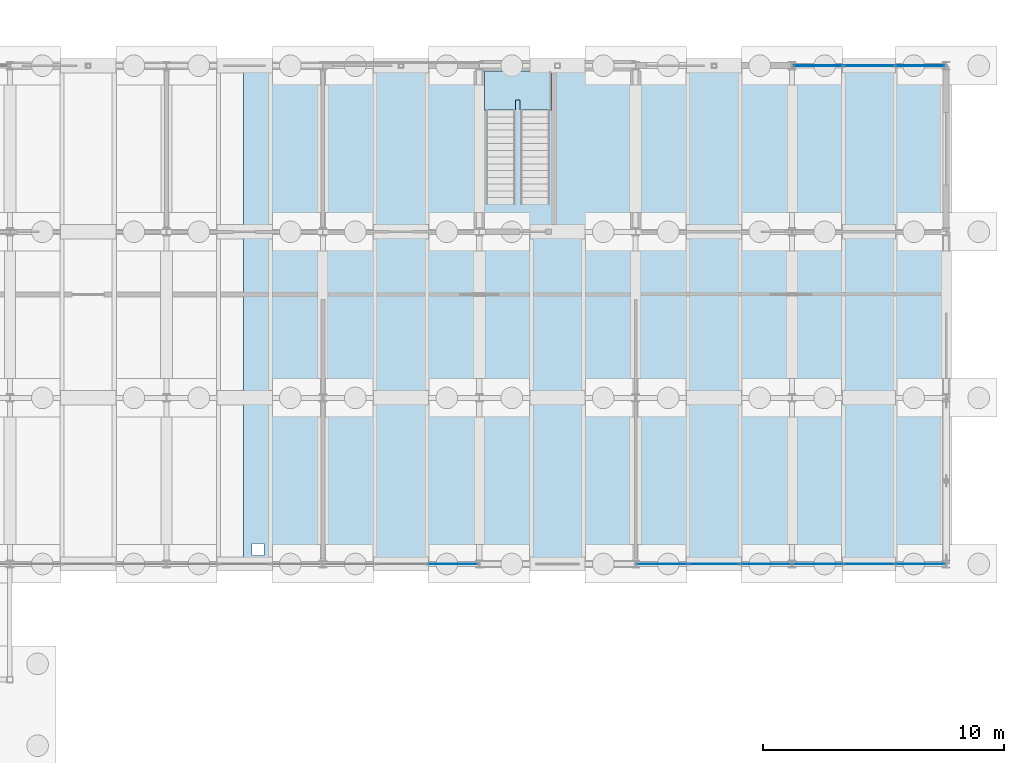
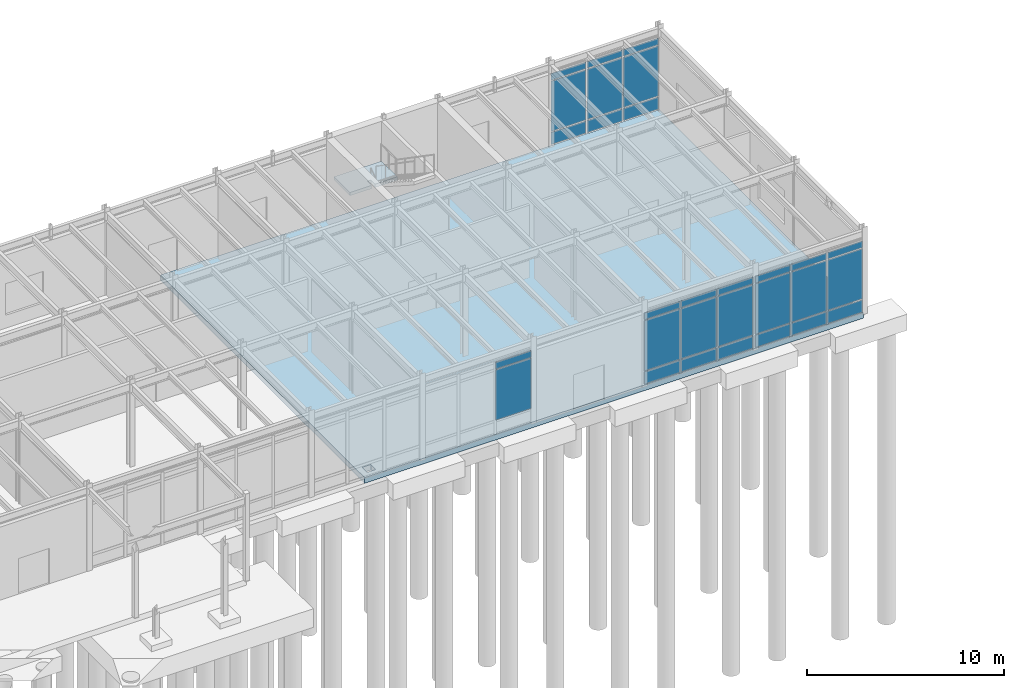
# One storey, part 54 of 82: 29 plates, 2 slabs, 5 elements without a shape of their own.
"""IFC4 building model written with IfcOpenShell, lengths in metres."""

from ifc_helpers import new_model, si_unit, direction, frame, origin, origin_2d, place, context, subcontext, project, spatial, polyline, rectangle, outline, extrude, material, layer, layer_set, type_object, element, aggregate, save


model = new_model("IFC4")

# Units and contexts
model_context = context("Model", 3, precision=1e-05, world=origin(), true_north=direction((0.0, 1.0)))
body_context = subcontext(model_context, "Body", "Model", "MODEL_VIEW")
ifc_project = project(units=[si_unit("LENGTHUNIT", "METRE"), si_unit("AREAUNIT", "SQUARE_METRE"), si_unit("VOLUMEUNIT", "CUBIC_METRE"), si_unit("PLANEANGLEUNIT", "RADIAN"), si_unit("MASSUNIT", "GRAM", prefix="KILO")], contexts=[model_context])

# Site, building, storey
site_placement = place(None, origin())
site = spatial("IfcSite", under=ifc_project, at=site_placement, CompositionType="ELEMENT")
building_placement = place(site_placement, origin())
building = spatial("IfcBuilding", under=site, at=building_placement, Name="Trelmorton Wharf Fire Station", CompositionType="ELEMENT")
storey_placement = place(building_placement, origin())
storey = spatial("IfcBuildingStorey", under=building, at=storey_placement, Name="L00", CompositionType="ELEMENT", Elevation=0.0)

# Curtain wall, plates
ifc_material_1 = material(Name="Anodised aluminium AW-6063", Category="aluminium")
ifc_layer_1 = layer(ifc_material_1, 0.159912109375)
ifc_layer_set_1 = layer_set([ifc_layer_1], Name="Anodised aluminium AW-6063")
curtain_wall_type_1 = type_object("IfcCurtainWallType", Name="CW_CHIC_A", PredefinedType="USERDEFINED", material=ifc_layer_set_1)
curtain_wall_1_placement = place(storey_placement, origin())
curtain_wall_1 = element("IfcCurtainWall", 1, at=curtain_wall_1_placement, inside=storey, type_object=curtain_wall_type_1, Name="CW-V4-L00-118", ObjectType="CHICAGO BAY CURTAIN WALL", PredefinedType="USERDEFINED")
ifc_material_2 = material(Name="Tempered low-E double glazing", Category="glass")
ifc_layer_2 = layer(ifc_material_2, 0.028076171875)
ifc_layer_set_2 = layer_set([ifc_layer_2], Name="Tempered low-E double glazing")
plate_type_1 = type_object("IfcPlateType", Name="CWP_GLAZ_28", PredefinedType="CURTAIN_PANEL", material=ifc_layer_set_2)
plate_1_placement = place(storey_placement, frame((154.8984375, 60.300048828125, 0.06005859375), z_axis=(0.0, 0.0, 1.0), x_axis=(-1.0, 0.0, 0.0)))
plate_1 = element("IfcPlate", 2, at=plate_1_placement, type_object=plate_type_1, Name="CW1 panel 1.1", PredefinedType="CURTAIN_PANEL", context=body_context, shape_type="SweptSolid", body=[
    extrude(rectangle(XDim=2.0732421875, YDim=0.028076171875, at=origin_2d()), origin(), (0.0, 0.0, 1.0), 0.760009765625),
])
plate_2_placement = place(storey_placement, frame((154.8984375, 60.300048828125, 0.8798828125), z_axis=(0.0, 0.0, 1.0), x_axis=(-1.0, 0.0, 0.0)))
plate_2 = element("IfcPlate", 3, at=plate_2_placement, type_object=plate_type_1, Name="CW1 panel 1.2", PredefinedType="CURTAIN_PANEL", context=body_context, shape_type="SweptSolid", body=[
    extrude(rectangle(XDim=2.0732421875, YDim=0.028076171875, at=origin_2d()), origin(), (0.0, 0.0, 1.0), 3.110107421875),
])
plate_3_placement = place(storey_placement, frame((154.8984375, 60.300048828125, 4.0498046875), z_axis=(0.0, 0.0, 1.0), x_axis=(-1.0, 0.0, 0.0)))
plate_3 = element("IfcPlate", 4, at=plate_3_placement, type_object=plate_type_1, Name="CW1 panel 1.3", PredefinedType="CURTAIN_PANEL", context=body_context, shape_type="SweptSolid", body=[
    extrude(rectangle(XDim=2.0732421875, YDim=0.028076171875, at=origin_2d()), origin(), (0.0, 0.0, 1.0), 0.409912109375),
])
plate_4_placement = place(storey_placement, frame((152.75, 60.300048828125, 0.06005859375), z_axis=(0.0, 0.0, 1.0), x_axis=(-1.0, 0.0, 0.0)))
plate_4 = element("IfcPlate", 5, at=plate_4_placement, type_object=plate_type_1, Name="CW1 panel 2.1", PredefinedType="CURTAIN_PANEL", context=body_context, shape_type="SweptSolid", body=[
    extrude(rectangle(XDim=2.103271484375, YDim=0.028076171875, at=origin_2d()), origin(), (0.0, 0.0, 1.0), 0.760009765625),
])
plate_5_placement = place(storey_placement, frame((152.75, 60.300048828125, 0.8798828125), z_axis=(0.0, 0.0, 1.0), x_axis=(-1.0, 0.0, 0.0)))
plate_5 = element("IfcPlate", 6, at=plate_5_placement, type_object=plate_type_1, Name="CW1 panel 2.2", PredefinedType="CURTAIN_PANEL", context=body_context, shape_type="SweptSolid", body=[
    extrude(rectangle(XDim=2.103271484375, YDim=0.028076171875, at=origin_2d()), origin(), (0.0, 0.0, 1.0), 3.110107421875),
])
plate_6_placement = place(storey_placement, frame((152.75, 60.300048828125, 4.0498046875), z_axis=(0.0, 0.0, 1.0), x_axis=(-1.0, 0.0, 0.0)))
plate_6 = element("IfcPlate", 7, at=plate_6_placement, type_object=plate_type_1, Name="CW1 panel 2.3", PredefinedType="CURTAIN_PANEL", context=body_context, shape_type="SweptSolid", body=[
    extrude(rectangle(XDim=2.103271484375, YDim=0.028076171875, at=origin_2d()), origin(), (0.0, 0.0, 1.0), 0.409912109375),
])
plate_7_placement = place(storey_placement, frame((150.6015625, 60.300048828125, 0.06005859375), z_axis=(0.0, 0.0, 1.0), x_axis=(-1.0, 0.0, 0.0)))
plate_7 = element("IfcPlate", 8, at=plate_7_placement, type_object=plate_type_1, Name="CW1 panel 3.1", PredefinedType="CURTAIN_PANEL", context=body_context, shape_type="SweptSolid", body=[
    extrude(rectangle(XDim=2.0732421875, YDim=0.028076171875, at=origin_2d()), origin(), (0.0, 0.0, 1.0), 0.760009765625),
])
plate_8_placement = place(storey_placement, frame((150.6015625, 60.300048828125, 0.8798828125), z_axis=(0.0, 0.0, 1.0), x_axis=(-1.0, 0.0, 0.0)))
plate_8 = element("IfcPlate", 9, at=plate_8_placement, type_object=plate_type_1, Name="CW1 panel 3.2", PredefinedType="CURTAIN_PANEL", context=body_context, shape_type="SweptSolid", body=[
    extrude(rectangle(XDim=2.0732421875, YDim=0.028076171875, at=origin_2d()), origin(), (0.0, 0.0, 1.0), 3.110107421875),
])
plate_9_placement = place(storey_placement, frame((150.6015625, 60.300048828125, 4.0498046875), z_axis=(0.0, 0.0, 1.0), x_axis=(-1.0, 0.0, 0.0)))
plate_9 = element("IfcPlate", 10, at=plate_9_placement, type_object=plate_type_1, Name="CW1 panel 3.3", PredefinedType="CURTAIN_PANEL", context=body_context, shape_type="SweptSolid", body=[
    extrude(rectangle(XDim=2.0732421875, YDim=0.028076171875, at=origin_2d()), origin(), (0.0, 0.0, 1.0), 0.409912109375),
])
aggregate(curtain_wall_1, [plate_1, plate_2, plate_3, plate_4, plate_5, plate_6, plate_7, plate_8, plate_9])

curtain_wall_2_placement = place(storey_placement, origin())
curtain_wall_2 = element("IfcCurtainWall", 11, at=curtain_wall_2_placement, inside=storey, type_object=curtain_wall_type_1, Name="CW-V4-L00-119", ObjectType="CHICAGO BAY CURTAIN WALL", PredefinedType="USERDEFINED")
plate_10_placement = place(storey_placement, frame((161.31494140625, 60.300048828125, 0.06005859375), z_axis=(0.0, 0.0, 1.0), x_axis=(-1.0, 0.0, 0.0)))
plate_10 = element("IfcPlate", 12, at=plate_10_placement, type_object=plate_type_1, Name="CW1 panel 1.1", PredefinedType="CURTAIN_PANEL", context=body_context, shape_type="SweptSolid", body=[
    extrude(rectangle(XDim=2.0400390625, YDim=0.028076171875, at=origin_2d()), origin(), (0.0, 0.0, 1.0), 0.760009765625),
])
plate_11_placement = place(storey_placement, frame((161.31494140625, 60.300048828125, 0.8798828125), z_axis=(0.0, 0.0, 1.0), x_axis=(-1.0, 0.0, 0.0)))
plate_11 = element("IfcPlate", 13, at=plate_11_placement, type_object=plate_type_1, Name="CW1 panel 1.2", PredefinedType="CURTAIN_PANEL", context=body_context, shape_type="SweptSolid", body=[
    extrude(rectangle(XDim=2.0400390625, YDim=0.028076171875, at=origin_2d()), origin(), (0.0, 0.0, 1.0), 3.110107421875),
])
plate_12_placement = place(storey_placement, frame((161.31494140625, 60.300048828125, 4.0498046875), z_axis=(0.0, 0.0, 1.0), x_axis=(-1.0, 0.0, 0.0)))
plate_12 = element("IfcPlate", 14, at=plate_12_placement, type_object=plate_type_1, Name="CW1 panel 1.3", PredefinedType="CURTAIN_PANEL", context=body_context, shape_type="SweptSolid", body=[
    extrude(rectangle(XDim=2.0400390625, YDim=0.028076171875, at=origin_2d()), origin(), (0.0, 0.0, 1.0), 0.409912109375),
])
plate_13_placement = place(storey_placement, frame((159.199951171875, 60.300048828125, 0.06005859375), z_axis=(0.0, 0.0, 1.0), x_axis=(-1.0, 0.0, 0.0)))
plate_13 = element("IfcPlate", 15, at=plate_13_placement, type_object=plate_type_1, Name="CW1 panel 2.1", PredefinedType="CURTAIN_PANEL", context=body_context, shape_type="SweptSolid", body=[
    extrude(rectangle(XDim=2.070068359375, YDim=0.028076171875, at=origin_2d()), origin(), (0.0, 0.0, 1.0), 0.760009765625),
])
plate_14_placement = place(storey_placement, frame((159.199951171875, 60.300048828125, 0.8798828125), z_axis=(0.0, 0.0, 1.0), x_axis=(-1.0, 0.0, 0.0)))
plate_14 = element("IfcPlate", 16, at=plate_14_placement, type_object=plate_type_1, Name="CW1 panel 2.2", PredefinedType="CURTAIN_PANEL", context=body_context, shape_type="SweptSolid", body=[
    extrude(rectangle(XDim=2.070068359375, YDim=0.028076171875, at=origin_2d()), origin(), (0.0, 0.0, 1.0), 3.110107421875),
])
plate_15_placement = place(storey_placement, frame((159.199951171875, 60.300048828125, 4.0498046875), z_axis=(0.0, 0.0, 1.0), x_axis=(-1.0, 0.0, 0.0)))
plate_15 = element("IfcPlate", 17, at=plate_15_placement, type_object=plate_type_1, Name="CW1 panel 2.3", PredefinedType="CURTAIN_PANEL", context=body_context, shape_type="SweptSolid", body=[
    extrude(rectangle(XDim=2.070068359375, YDim=0.028076171875, at=origin_2d()), origin(), (0.0, 0.0, 1.0), 0.409912109375),
])
plate_16_placement = place(storey_placement, frame((157.0849609375, 60.300048828125, 0.06005859375), z_axis=(0.0, 0.0, 1.0), x_axis=(-1.0, 0.0, 0.0)))
plate_16 = element("IfcPlate", 18, at=plate_16_placement, type_object=plate_type_1, Name="CW1 panel 3.1", PredefinedType="CURTAIN_PANEL", context=body_context, shape_type="SweptSolid", body=[
    extrude(rectangle(XDim=2.0400390625, YDim=0.028076171875, at=origin_2d()), origin(), (0.0, 0.0, 1.0), 0.760009765625),
])
plate_17_placement = place(storey_placement, frame((157.0849609375, 60.300048828125, 0.8798828125), z_axis=(0.0, 0.0, 1.0), x_axis=(-1.0, 0.0, 0.0)))
plate_17 = element("IfcPlate", 19, at=plate_17_placement, type_object=plate_type_1, Name="CW1 panel 3.2", PredefinedType="CURTAIN_PANEL", context=body_context, shape_type="SweptSolid", body=[
    extrude(rectangle(XDim=2.0400390625, YDim=0.028076171875, at=origin_2d()), origin(), (0.0, 0.0, 1.0), 3.110107421875),
])
plate_18_placement = place(storey_placement, frame((157.0849609375, 60.300048828125, 4.0498046875), z_axis=(0.0, 0.0, 1.0), x_axis=(-1.0, 0.0, 0.0)))
plate_18 = element("IfcPlate", 20, at=plate_18_placement, type_object=plate_type_1, Name="CW1 panel 3.3", PredefinedType="CURTAIN_PANEL", context=body_context, shape_type="SweptSolid", body=[
    extrude(rectangle(XDim=2.0400390625, YDim=0.028076171875, at=origin_2d()), origin(), (0.0, 0.0, 1.0), 0.409912109375),
])
aggregate(curtain_wall_2, [plate_10, plate_11, plate_12, plate_13, plate_14, plate_15, plate_16, plate_17, plate_18])

ifc_layer_3 = layer(ifc_material_1, 0.14990234375)
ifc_layer_set_3 = layer_set([ifc_layer_3], Name="Anodised aluminium AW-6063")
curtain_wall_type_2 = type_object("IfcCurtainWallType", Name="CW_UNIT_A", PredefinedType="USERDEFINED", material=ifc_layer_set_3)
curtain_wall_3_placement = place(storey_placement, origin())
curtain_wall_3 = element("IfcCurtainWall", 21, at=curtain_wall_3_placement, inside=storey, type_object=curtain_wall_type_2, Name="CW-V4-L00-122", ObjectType="UNITISED CURTAIN WALL", PredefinedType="USERDEFINED")
plate_19_placement = place(storey_placement, frame((157.0849609375, 81.0, 0.06005859375), z_axis=(0.0, 0.0, 1.0), x_axis=(1.0, 0.0, 0.0)))
plate_19 = element("IfcPlate", 22, at=plate_19_placement, type_object=plate_type_1, Name="CW3 panel 1.1", PredefinedType="CURTAIN_PANEL", context=body_context, shape_type="SweptSolid", body=[
    extrude(rectangle(XDim=2.0400390625, YDim=0.028076171875, at=origin_2d()), origin(), (0.0, 0.0, 1.0), 0.760009765625),
])
plate_20_placement = place(storey_placement, frame((157.0849609375, 81.0, 0.8798828125), z_axis=(0.0, 0.0, 1.0), x_axis=(1.0, 0.0, 0.0)))
plate_20 = element("IfcPlate", 23, at=plate_20_placement, type_object=plate_type_1, Name="CW3 panel 1.2", PredefinedType="CURTAIN_PANEL", context=body_context, shape_type="SweptSolid", body=[
    extrude(rectangle(XDim=2.0400390625, YDim=0.028076171875, at=origin_2d()), origin(), (0.0, 0.0, 1.0), 3.110107421875),
])
plate_21_placement = place(storey_placement, frame((157.0849609375, 81.0, 4.0498046875), z_axis=(0.0, 0.0, 1.0), x_axis=(1.0, 0.0, 0.0)))
plate_21 = element("IfcPlate", 24, at=plate_21_placement, type_object=plate_type_1, Name="CW3 panel 1.3", PredefinedType="CURTAIN_PANEL", context=body_context, shape_type="SweptSolid", body=[
    extrude(rectangle(XDim=2.0400390625, YDim=0.028076171875, at=origin_2d()), origin(), (0.0, 0.0, 1.0), 0.409912109375),
])
plate_22_placement = place(storey_placement, frame((159.199951171875, 81.0, 0.06005859375), z_axis=(0.0, 0.0, 1.0), x_axis=(1.0, 0.0, 0.0)))
plate_22 = element("IfcPlate", 25, at=plate_22_placement, type_object=plate_type_1, Name="CW3 panel 2.1", PredefinedType="CURTAIN_PANEL", context=body_context, shape_type="SweptSolid", body=[
    extrude(rectangle(XDim=2.070068359375, YDim=0.028076171875, at=origin_2d()), origin(), (0.0, 0.0, 1.0), 0.760009765625),
])
plate_23_placement = place(storey_placement, frame((159.199951171875, 81.0, 0.8798828125), z_axis=(0.0, 0.0, 1.0), x_axis=(1.0, 0.0, 0.0)))
plate_23 = element("IfcPlate", 26, at=plate_23_placement, type_object=plate_type_1, Name="CW3 panel 2.2", PredefinedType="CURTAIN_PANEL", context=body_context, shape_type="SweptSolid", body=[
    extrude(rectangle(XDim=2.070068359375, YDim=0.028076171875, at=origin_2d()), origin(), (0.0, 0.0, 1.0), 3.110107421875),
])
plate_24_placement = place(storey_placement, frame((159.199951171875, 81.0, 4.0498046875), z_axis=(0.0, 0.0, 1.0), x_axis=(1.0, 0.0, 0.0)))
plate_24 = element("IfcPlate", 27, at=plate_24_placement, type_object=plate_type_1, Name="CW3 panel 2.3", PredefinedType="CURTAIN_PANEL", context=body_context, shape_type="SweptSolid", body=[
    extrude(rectangle(XDim=2.070068359375, YDim=0.028076171875, at=origin_2d()), origin(), (0.0, 0.0, 1.0), 0.409912109375),
])
plate_25_placement = place(storey_placement, frame((161.31494140625, 81.0, 0.06005859375), z_axis=(0.0, 0.0, 1.0), x_axis=(1.0, 0.0, 0.0)))
plate_25 = element("IfcPlate", 28, at=plate_25_placement, type_object=plate_type_1, Name="CW3 panel 3.1", PredefinedType="CURTAIN_PANEL", context=body_context, shape_type="SweptSolid", body=[
    extrude(rectangle(XDim=2.0400390625, YDim=0.028076171875, at=origin_2d()), origin(), (0.0, 0.0, 1.0), 0.760009765625),
])
plate_26_placement = place(storey_placement, frame((161.31494140625, 81.0, 0.8798828125), z_axis=(0.0, 0.0, 1.0), x_axis=(1.0, 0.0, 0.0)))
plate_26 = element("IfcPlate", 29, at=plate_26_placement, type_object=plate_type_1, Name="CW3 panel 3.2", PredefinedType="CURTAIN_PANEL", context=body_context, shape_type="SweptSolid", body=[
    extrude(rectangle(XDim=2.0400390625, YDim=0.028076171875, at=origin_2d()), origin(), (0.0, 0.0, 1.0), 3.110107421875),
])
plate_27_placement = place(storey_placement, frame((161.31494140625, 81.0, 4.0498046875), z_axis=(0.0, 0.0, 1.0), x_axis=(1.0, 0.0, 0.0)))
plate_27 = element("IfcPlate", 30, at=plate_27_placement, type_object=plate_type_1, Name="CW3 panel 3.3", PredefinedType="CURTAIN_PANEL", context=body_context, shape_type="SweptSolid", body=[
    extrude(rectangle(XDim=2.0400390625, YDim=0.028076171875, at=origin_2d()), origin(), (0.0, 0.0, 1.0), 0.409912109375),
])
aggregate(curtain_wall_3, [plate_19, plate_20, plate_21, plate_22, plate_23, plate_24, plate_25, plate_26, plate_27])

curtain_wall_4_placement = place(storey_placement, origin())
curtain_wall_4 = element("IfcCurtainWall", 31, at=curtain_wall_4_placement, inside=storey, type_object=curtain_wall_type_1, Name="CW-V4-L00-117", ObjectType="CHICAGO BAY CURTAIN WALL", PredefinedType="USERDEFINED")
ifc_layer_4 = layer(ifc_material_2, 0.028076171875)
ifc_layer_set_4 = layer_set([ifc_layer_4], Name="Tempered low-E double glazing")
plate_type_2 = type_object("IfcPlateType", Name="CWP_GLAZ_38", PredefinedType="CURTAIN_PANEL", material=ifc_layer_set_4)
plate_28_placement = place(storey_placement, frame((141.8984375, 60.300048828125, 0.8798828125), z_axis=(0.0, 0.0, 1.0), x_axis=(-1.0, 0.0, 0.0)))
plate_28 = element("IfcPlate", 32, at=plate_28_placement, type_object=plate_type_2, Name="CW1 panel 1.2", PredefinedType="CURTAIN_PANEL", context=body_context, shape_type="SweptSolid", body=[
    extrude(rectangle(XDim=2.0732421875, YDim=0.028076171875, at=origin_2d()), origin(), (0.0, 0.0, 1.0), 3.110107421875),
])
plate_29_placement = place(storey_placement, frame((141.8984375, 60.300048828125, 4.0498046875), z_axis=(0.0, 0.0, 1.0), x_axis=(-1.0, 0.0, 0.0)))
plate_29 = element("IfcPlate", 33, at=plate_29_placement, type_object=plate_type_2, Name="CW1 panel 1.3", PredefinedType="CURTAIN_PANEL", context=body_context, shape_type="SweptSolid", body=[
    extrude(rectangle(XDim=2.0732421875, YDim=0.028076171875, at=origin_2d()), origin(), (0.0, 0.0, 1.0), 0.409912109375),
])
aggregate(curtain_wall_4, [plate_28, plate_29])

# Slab
ifc_material_3 = material(Name="Concrete 40 MPa", Category="concrete")
ifc_layer_5 = layer(ifc_material_3, 0.35009765625)
ifc_layer_set_5 = layer_set([ifc_layer_5], Name="Concrete 40 MPa")
slab_type_1 = type_object("IfcSlabType", Name="SL_BASE_350", PredefinedType="BASESLAB", material=ifc_layer_set_5)
slab_1_placement = place(storey_placement, frame((0.0, 0.0, -0.35009765625)))
element("IfcSlab", 34, at=slab_1_placement, inside=storey, type_object=slab_type_1, Name="SL-V4-L00-052", PredefinedType="BASESLAB", context=body_context, shape_type="SweptSolid", body=[
    extrude(outline(polyline([(133.199951171875, 60.300048828125), (133.199951171875, 81.0), (162.39990234375, 81.0), (162.39990234375, 60.300048828125), (133.199951171875, 60.300048828125)]), holes=[polyline([(134.050048828125, 61.14990234375), (133.550048828125, 61.14990234375), (133.550048828125, 60.64990234375), (134.050048828125, 60.64990234375), (134.050048828125, 61.14990234375)])]), origin(), (0.0, 0.0, 1.0), 0.35009765625),
])

# Stair, slab
ifc_material_4 = material(Name="Precast concrete 45 MPa", Category="concrete")
stair_type = type_object("IfcStairType", Name="ST_DOG_540", PredefinedType="HALF_TURN_STAIR", material=ifc_material_4)
stair_placement = place(storey_placement, origin())
stair = element("IfcStair", 35, at=stair_placement, inside=storey, type_object=stair_type, Name="Escape Stair ST11-L00", PredefinedType="HALF_TURN_STAIR")
ifc_layer_6 = layer(ifc_material_4, 0.199951171875)
ifc_layer_set_6 = layer_set([ifc_layer_6], Name="Precast concrete 45 MPa")
slab_type_2 = type_object("IfcSlabType", Name="SL_LAND_180", PredefinedType="LANDING", material=ifc_layer_set_6)
slab_2_placement = place(storey_placement, frame((0.0, 0.0, 2.5)))
slab_2 = element("IfcSlab", 36, at=slab_2_placement, type_object=slab_type_2, Name="ST11-L00 landing 1", PredefinedType="LANDING", context=body_context, shape_type="SweptSolid", body=[
    extrude(outline(polyline([(143.22509765625, 79.159912109375), (144.5, 79.159912109375), (144.5, 79.580078125), (144.699951171875, 79.580078125), (144.699951171875, 79.159912109375), (146.0048828125, 79.159912109375), (146.0048828125, 80.77490234375), (143.22509765625, 80.77490234375), (143.22509765625, 79.159912109375)])), origin(), (0.0, 0.0, 1.0), 0.199951171875),
])
aggregate(stair, [slab_2])

save(model, "model.ifc")
